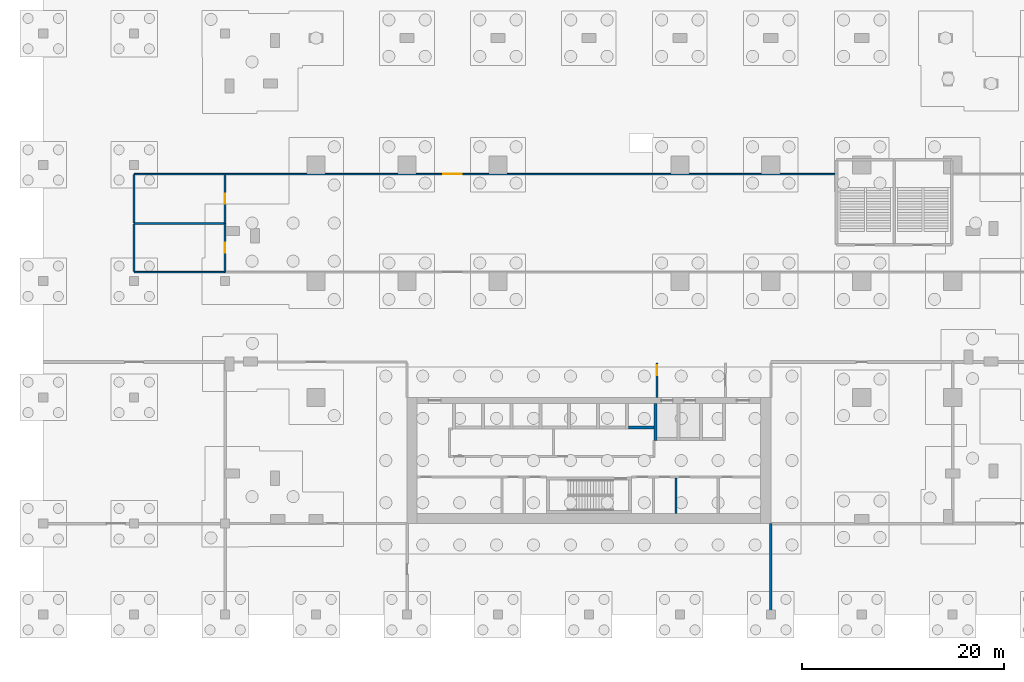
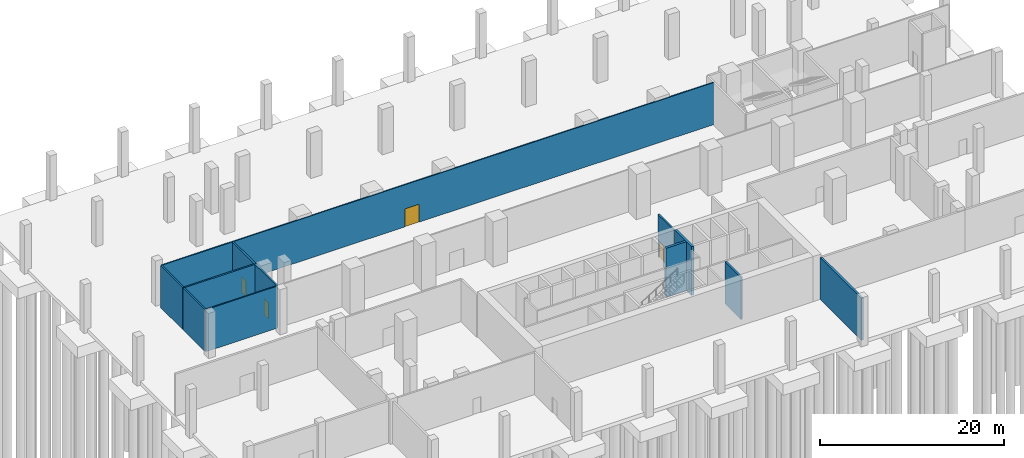
# One storey, part 5 of 9: 13 walls, 4 doors, 4 openings.
"""IFC4 building model written with IfcOpenShell, lengths in metres."""

from ifc_helpers import new_model, si_unit, direction, frame, frame_2d, origin, place, context, subcontext, project, spatial, rectangle, extrude, material, layer, layer_set, type_object, element, fill, save


model = new_model("IFC4")

# Units and contexts
model_context = context("Model", 3, precision=1e-05, world=origin(), true_north=direction((0.0, 1.0)))
body_context = subcontext(model_context, "Body", "Model", "MODEL_VIEW")
ifc_project = project(units=[si_unit("LENGTHUNIT", "METRE"), si_unit("AREAUNIT", "SQUARE_METRE"), si_unit("VOLUMEUNIT", "CUBIC_METRE"), si_unit("PLANEANGLEUNIT", "RADIAN"), si_unit("MASSUNIT", "GRAM", prefix="KILO")], contexts=[model_context])

# Site, building, storey
site_placement = place(None, origin())
site = spatial("IfcSite", under=ifc_project, at=site_placement, CompositionType="ELEMENT")
building_placement = place(site_placement, origin())
building = spatial("IfcBuilding", under=site, at=building_placement, Name="Brigalow Station Residences", CompositionType="ELEMENT")
storey_placement = place(building_placement, frame((0.0, 0.0, -6.0)))
storey = spatial("IfcBuildingStorey", under=building, at=storey_placement, Name="B1", CompositionType="ELEMENT", Elevation=-6.0)

# Walls
ifc_material_1 = material(Name="Concrete C80", Category="concrete")
ifc_layer_1 = layer(ifc_material_1, 0.300048828125)
ifc_layer_set_1 = layer_set([ifc_layer_1], Name="CORE SHEAR WALL 300 C80")
wall_type_1 = type_object("IfcWallType", Name="CORE SHEAR WALL 300 C80", PredefinedType="SHEAR", material=ifc_layer_set_1)
wall_1_placement = place(storey_placement, frame((39.89990234375, 9.5, -0.5), z_axis=(0.0, 0.0, 1.0), x_axis=(1.0, 0.0, 0.0)))
element("IfcWall", 1, at=wall_1_placement, inside=storey, type_object=wall_type_1, Name="CORE WALL SH-X2-S B1", PredefinedType="SHEAR", context=body_context, shape_type="SweptSolid", body=[
    extrude(rectangle(XDim=2.550048828125, YDim=0.300048828125, at=frame_2d((1.27490234375, 0.0))), origin(), (0.0, 0.0, 1.0), 6.5),
])
wall_2_placement = place(storey_placement, frame((42.60009765625, 8.25, -0.5), z_axis=(0.0, 0.0, 1.0), x_axis=(0.0, 1.0, 0.0)))
element("IfcWall", 2, at=wall_2_placement, inside=storey, type_object=wall_type_1, Name="CORE WALL SH-FF1-W B1", PredefinedType="SHEAR", context=body_context, shape_type="SweptSolid", body=[
    extrude(rectangle(XDim=3.64990234375, YDim=0.300048828125, at=frame_2d((1.824951171875, 0.0))), origin(), (0.0, 0.0, 1.0), 6.5),
])
ifc_material_2 = material(Name="Fire-rated plasterboard on steel studs", Category="steel")
ifc_layer_2 = layer(ifc_material_2, 0.25)
ifc_layer_set_2 = layer_set([ifc_layer_2], Name="FIRE PARTITION 250")
wall_type_2 = type_object("IfcWallType", Name="FIRE PARTITION 250", PredefinedType="PARTITIONING", material=ifc_layer_set_2)
wall_3_placement = place(storey_placement, frame((54.0, -9.0, 0.0), z_axis=(0.0, 0.0, 1.0), x_axis=(0.0, 1.0, 0.0)))
element("IfcWall", 3, at=wall_3_placement, inside=storey, type_object=wall_type_2, Name="Fire Partition 250 Station Store East / Station Cable Room", PredefinedType="PARTITIONING", context=body_context, shape_type="SweptSolid", body=[
    extrude(rectangle(XDim=9.0, YDim=0.25, at=frame_2d((4.5, 0.0))), origin(), (0.0, 0.0, 1.0), 5.597900390625),
])
ifc_material_3 = material(Name="Concrete blockwork", Category="masonry")
ifc_layer_3 = layer(ifc_material_3, 0.199951171875)
ifc_layer_set_3 = layer_set([ifc_layer_3], Name="FIRE RATED CORE PARTITION 200")
wall_type_3 = type_object("IfcWallType", Name="FIRE RATED CORE PARTITION 200", PredefinedType="PARTITIONING", material=ifc_layer_set_3)
wall_4_placement = place(storey_placement, frame((44.60009765625, 1.0, 0.0), z_axis=(0.0, 0.0, 1.0), x_axis=(0.0, 1.0, 0.0)))
element("IfcWall", 4, at=wall_4_placement, inside=storey, type_object=wall_type_3, Name="PW-5008", PredefinedType="PARTITIONING", context=body_context, shape_type="SweptSolid", body=[
    extrude(rectangle(XDim=3.5, YDim=0.199951171875, at=frame_2d((1.75, 0.0))), origin(), (0.0, 0.0, 1.0), 5.597900390625),
])

# Wall, opening, door
wall_5_placement = place(storey_placement, frame((42.75, 12.5, 0.0), z_axis=(0.0, 0.0, 1.0), x_axis=(0.0, 1.0, 0.0)))
wall_5 = element("IfcWall", 5, at=wall_5_placement, inside=storey, type_object=wall_type_3, Name="PW-5014", PredefinedType="PARTITIONING", context=body_context, shape_type="SweptSolid", body=[
    extrude(rectangle(XDim=3.39990234375, YDim=0.199951171875, at=frame_2d((1.699951171875, 0.0))), origin(), (0.0, 0.0, 1.0), 5.597900390625),
])
opening_1_placement = place(wall_5_placement, frame((2.199951171875, 0.0, 0.0)))
opening_1 = element("IfcOpeningElement", 6, at=opening_1_placement, cuts=wall_5, Name="Opening D-5013", PredefinedType="OPENING", context=body_context, shape_type="SweptSolid", body=[
    extrude(rectangle(XDim=1.0, YDim=2.10009765625, at=frame_2d((0.5, 1.050048828125))), frame((0.0, 0.10986328125, 0.0), z_axis=(0.0, -1.0, 0.0), x_axis=(1.0, 0.0, 0.0)), (0.0, 0.0, 1.0), 0.219970703125),
])
ifc_material_4 = material(Name="Steel fire door leaf in steel frame", Category="steel")
door_type_1 = type_object("IfcDoorType", Name="LOBBY DOOR 1000 x 2100 FD60S", OperationType="SINGLE_SWING_LEFT", PredefinedType="DOOR", material=ifc_material_4)
door_1_placement = place(opening_1_placement, origin())
door_1 = element("IfcDoor", 7, at=door_1_placement, inside=storey, type_object=door_type_1, Name="D-5013", OperationType="SINGLE_SWING_RIGHT", OverallHeight=2.10009765625, OverallWidth=1.0, PredefinedType="DOOR", context=body_context, shape_type="SweptSolid", body=[
    extrude(rectangle(XDim=1.0, YDim=2.10009765625, at=frame_2d((0.5, 1.050048828125))), frame((0.0, 0.02490234375, 0.0), z_axis=(0.0, -1.0, 0.0), x_axis=(1.0, 0.0, 0.0)), (0.0, 0.0, 1.0), 0.050048828125),
])
fill(opening_1, door_1)

ifc_material_5 = material(Name="Plasterboard on steel studs with acoustic insulation", Category="steel")
ifc_layer_4 = layer(ifc_material_5, 0.199951171875)
ifc_layer_set_4 = layer_set([ifc_layer_4], Name="PARTITION 200")
wall_type_4 = type_object("IfcWallType", Name="PARTITION 200", PredefinedType="PARTITIONING", material=ifc_layer_set_4)
wall_6_placement = place(storey_placement, frame((0.0, 24.89990234375, 0.0), z_axis=(0.0, 0.0, 1.0), x_axis=(0.0, 1.0, 0.0)))
wall_6 = element("IfcWall", 8, at=wall_6_placement, inside=storey, type_object=wall_type_4, Name="Partition 200 Station Platform / Platform Staff Room", PredefinedType="PARTITIONING", context=body_context, shape_type="SweptSolid", body=[
    extrude(rectangle(XDim=4.800048828125, YDim=0.199951171875, at=frame_2d((2.39990234375, 0.0))), origin(), (0.0, 0.0, 1.0), 5.597900390625),
])
opening_2_placement = place(wall_6_placement, frame((1.89990234375, 0.0, 0.0)))
opening_2 = element("IfcOpeningElement", 9, at=opening_2_placement, cuts=wall_6, Name="Opening D-7003", PredefinedType="OPENING", context=body_context, shape_type="SweptSolid", body=[
    extrude(rectangle(XDim=1.0, YDim=2.10009765625, at=frame_2d((0.5, 1.050048828125))), frame((0.0, 0.10986328125, 0.0), z_axis=(0.0, -1.0, 0.0), x_axis=(1.0, 0.0, 0.0)), (0.0, 0.0, 1.0), 0.219970703125),
])
ifc_material_6 = material(Name="Timber door leaf in steel frame", Category="steel")
door_type_2 = type_object("IfcDoorType", Name="DOOR SINGLE 1000", OperationType="SINGLE_SWING_LEFT", PredefinedType="DOOR", material=ifc_material_6)
door_2_placement = place(opening_2_placement, origin())
door_2 = element("IfcDoor", 10, at=door_2_placement, inside=storey, type_object=door_type_2, Name="Platform staff room door", OperationType="SINGLE_SWING_LEFT", OverallHeight=2.10009765625, OverallWidth=1.0, PredefinedType="DOOR", context=body_context, shape_type="SweptSolid", body=[
    extrude(rectangle(XDim=1.0, YDim=2.10009765625, at=frame_2d((0.5, 1.050048828125))), frame((0.0, 0.02490234375, 0.0), z_axis=(0.0, -1.0, 0.0), x_axis=(1.0, 0.0, 0.0)), (0.0, 0.0, 1.0), 0.050048828125),
])
fill(opening_2, door_2)

wall_7_placement = place(storey_placement, frame((0.0, 29.699951171875, 0.0), z_axis=(0.0, 0.0, 1.0), x_axis=(0.0, 1.0, 0.0)))
wall_7 = element("IfcWall", 11, at=wall_7_placement, inside=storey, type_object=wall_type_4, Name="Partition 200 Station Platform / Platform Store", PredefinedType="PARTITIONING", context=body_context, shape_type="SweptSolid", body=[
    extrude(rectangle(XDim=4.900146484375, YDim=0.199951171875, at=frame_2d((2.4501953125, 0.0))), origin(), (0.0, 0.0, 1.0), 5.597900390625),
])
opening_3_placement = place(wall_7_placement, frame((1.949951171875, 0.0, 0.0)))
opening_3 = element("IfcOpeningElement", 12, at=opening_3_placement, cuts=wall_7, Name="Opening D-7004", PredefinedType="OPENING", context=body_context, shape_type="SweptSolid", body=[
    extrude(rectangle(XDim=1.0, YDim=2.10009765625, at=frame_2d((0.5, 1.050048828125))), frame((0.0, 0.10986328125, 0.0), z_axis=(0.0, -1.0, 0.0), x_axis=(1.0, 0.0, 0.0)), (0.0, 0.0, 1.0), 0.219970703125),
])
door_3_placement = place(opening_3_placement, origin())
door_3 = element("IfcDoor", 13, at=door_3_placement, inside=storey, type_object=door_type_2, Name="Platform store door", OperationType="SINGLE_SWING_LEFT", OverallHeight=2.10009765625, OverallWidth=1.0, PredefinedType="DOOR", context=body_context, shape_type="SweptSolid", body=[
    extrude(rectangle(XDim=1.0, YDim=2.10009765625, at=frame_2d((0.5, 1.050048828125))), frame((0.0, 0.02490234375, 0.0), z_axis=(0.0, -1.0, 0.0), x_axis=(1.0, 0.0, 0.0)), (0.0, 0.0, 1.0), 0.050048828125),
])
fill(opening_3, door_3)

# Walls
wall_8_placement = place(storey_placement, frame((-9.0, 29.699951171875, 0.0), z_axis=(0.0, 0.0, 1.0), x_axis=(1.0, 0.0, 0.0)))
element("IfcWall", 14, at=wall_8_placement, inside=storey, type_object=wall_type_4, Name="Partition 200 Platform Staff Room / Platform Store", PredefinedType="PARTITIONING", context=body_context, shape_type="SweptSolid", body=[
    extrude(rectangle(XDim=9.0, YDim=0.199951171875, at=frame_2d((4.5, 0.0))), origin(), (0.0, 0.0, 1.0), 5.597900390625),
])
wall_9_placement = place(storey_placement, frame((-9.0, 24.93994140625, 0.0), z_axis=(0.0, 0.0, 1.0), x_axis=(0.0, 1.0, 0.0)))
element("IfcWall", 15, at=wall_9_placement, inside=storey, type_object=wall_type_4, Name="Partition 200 Platform Staff Room / VOID", PredefinedType="PARTITIONING", context=body_context, shape_type="SweptSolid", body=[
    extrude(rectangle(XDim=4.699951171875, YDim=0.199951171875, at=frame_2d((2.35009765625, 0.0))), origin(), (0.0, 0.0, 1.0), 5.597900390625),
])
wall_10_placement = place(storey_placement, frame((-9.0, 29.760009765625, 0.0), z_axis=(0.0, 0.0, 1.0), x_axis=(0.0, 1.0, 0.0)))
element("IfcWall", 16, at=wall_10_placement, inside=storey, type_object=wall_type_4, Name="Partition 200 Platform Store / VOID", PredefinedType="PARTITIONING", context=body_context, shape_type="SweptSolid", body=[
    extrude(rectangle(XDim=4.800048828125, YDim=0.199951171875, at=frame_2d((2.39990234375, 0.0))), origin(), (0.0, 0.0, 1.0), 5.597900390625),
])

# Wall, opening, door
ifc_material_7 = material(Name="Toughened laminated glass in stainless steel frame", Category="steel")
ifc_layer_5 = layer(ifc_material_7, 0.14990234375)
ifc_layer_set_5 = layer_set([ifc_layer_5], Name="PLATFORM EDGE BARRIER")
wall_type_5 = type_object("IfcWallType", Name="PLATFORM EDGE BARRIER", PredefinedType="PARTITIONING", material=ifc_layer_set_5)
wall_11_placement = place(storey_placement, frame((0.0, 34.60009765625, 0.0), z_axis=(0.0, 0.0, 1.0), x_axis=(1.0, 0.0, 0.0)))
wall_11 = element("IfcWall", 17, at=wall_11_placement, inside=storey, type_object=wall_type_5, Name="Platform Edge Barrier Station Platform / Track 2 (Rail Operator)", PredefinedType="PARTITIONING", context=body_context, shape_type="SweptSolid", body=[
    extrude(rectangle(XDim=60.455078125, YDim=0.14990234375, at=frame_2d((30.2275390625, 0.0))), origin(), (0.0, 0.0, 1.0), 5.597900390625),
])
opening_4_placement = place(wall_11_placement, frame((21.60009765625, 0.0, 0.0)))
opening_4 = element("IfcOpeningElement", 18, at=opening_4_placement, cuts=wall_11, Name="Opening D-7002", PredefinedType="OPENING", context=body_context, shape_type="SweptSolid", body=[
    extrude(rectangle(XDim=1.800048828125, YDim=2.39990234375, at=frame_2d((0.89990234375, 1.199951171875))), frame((0.0, 0.0849609375, 0.0), z_axis=(0.0, -1.0, 0.0), x_axis=(1.0, 0.0, 0.0)), (0.0, 0.0, 1.0), 0.169921875),
])
ifc_material_8 = material(Name="Timber door leaves in steel frame", Category="steel")
door_type_3 = type_object("IfcDoorType", Name="DOOR DOUBLE 1800", OperationType="DOUBLE_DOOR_SINGLE_SWING", PredefinedType="DOOR", material=ifc_material_8)
door_4_placement = place(opening_4_placement, origin())
door_4 = element("IfcDoor", 19, at=door_4_placement, inside=storey, type_object=door_type_3, Name="Platform screen door to track 2", OperationType="DOUBLE_DOOR_SINGLE_SWING", OverallHeight=2.39990234375, OverallWidth=1.800048828125, PredefinedType="DOOR", context=body_context, shape_type="SweptSolid", body=[
    extrude(rectangle(XDim=1.800048828125, YDim=2.39990234375, at=frame_2d((0.89990234375, 1.199951171875))), frame((0.0, 0.02490234375, 0.0), z_axis=(0.0, -1.0, 0.0), x_axis=(1.0, 0.0, 0.0)), (0.0, 0.0, 1.0), 0.050048828125),
])
fill(opening_4, door_4)

# Walls
for number, where, z_axis, x_axis, name in (
    (20, (-9.0, 24.89990234375, 0.0), (0.0, 0.0, 1.0), (1.0, 0.0, 0.0), "Platform Edge Barrier Platform Staff Room / Track 1 (Rail Operator)"),
    (21, (-9.0, 34.60009765625, 0.0), (0.0, 0.0, 1.0), (1.0, 0.0, 0.0), "Platform Edge Barrier Platform Store / Track 2 (Rail Operator)"),
):
    element("IfcWall", number, at=place(storey_placement, frame(where, z_axis=z_axis, x_axis=x_axis)), inside=storey, type_object=wall_type_5, Name=name, PredefinedType="PARTITIONING", context=body_context, shape_type="SweptSolid", body=[
        extrude(rectangle(XDim=9.0, YDim=0.14990234375, at=frame_2d((4.5, 0.0))), origin(), (0.0, 0.0, 1.0), 5.597900390625),
    ])

save(model, "model.ifc")
